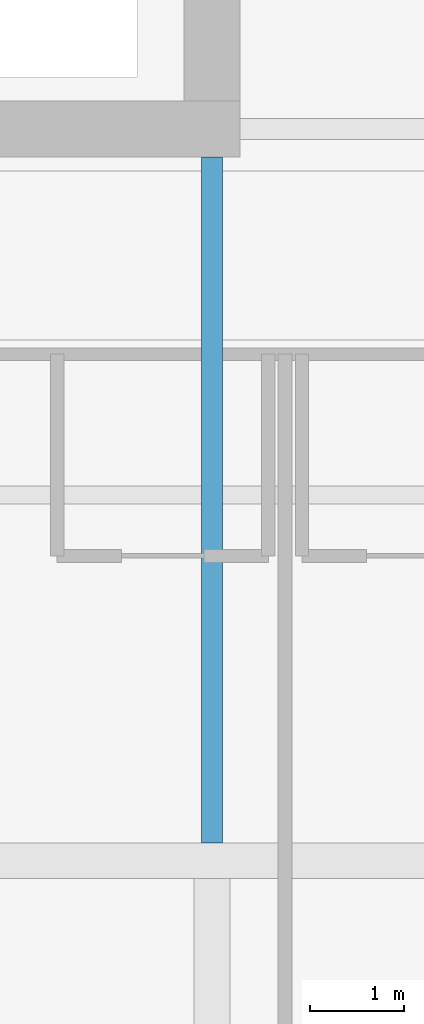
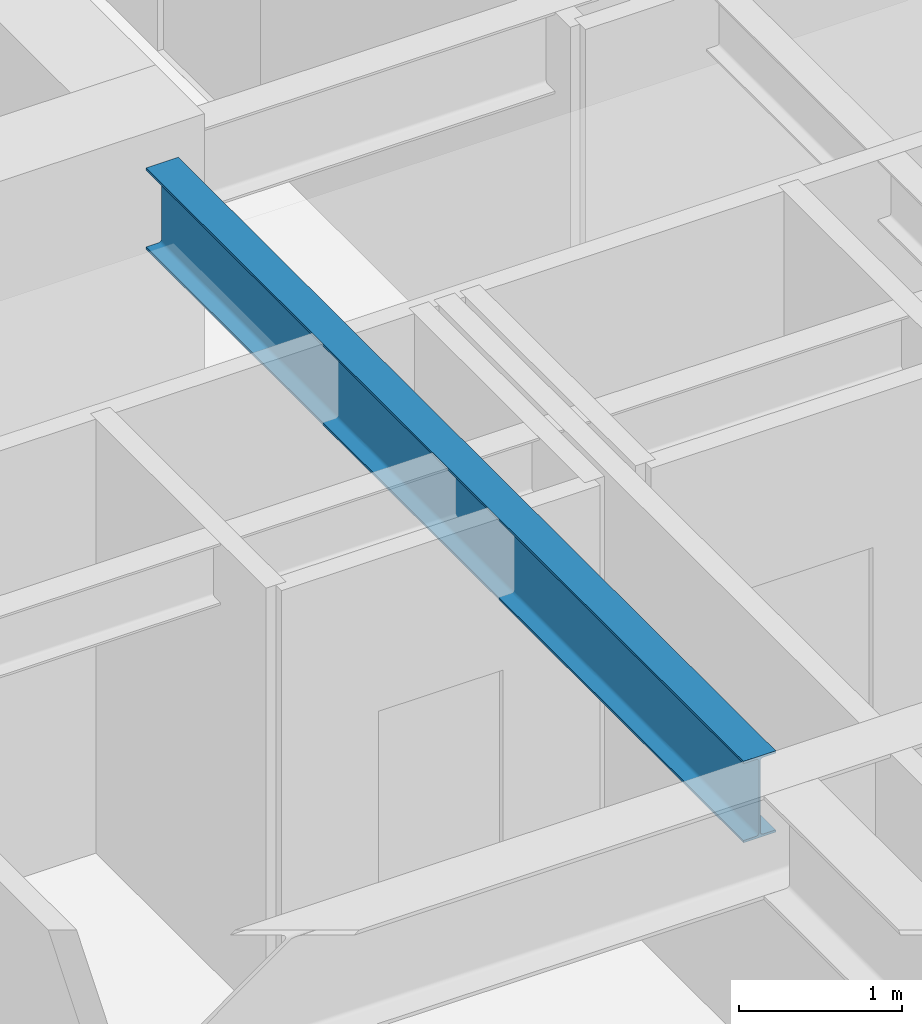
# One storey, part 12 of 38: 1 beam.
"""IFC4 building model written with IfcOpenShell, lengths in metres."""

from ifc_helpers import new_model, si_unit, direction, frame, origin, origin_2d, place, context, subcontext, project, spatial, i_section, extrude, material, material_profile, profile_set, type_object, element, save


model = new_model("IFC4")

# Units and contexts
model_context = context("Model", 3, precision=1e-05, world=origin(), true_north=direction((0.0, 1.0)))
body_context = subcontext(model_context, "Body", "Model", "MODEL_VIEW")
ifc_project = project(units=[si_unit("LENGTHUNIT", "METRE"), si_unit("AREAUNIT", "SQUARE_METRE"), si_unit("VOLUMEUNIT", "CUBIC_METRE"), si_unit("PLANEANGLEUNIT", "RADIAN"), si_unit("MASSUNIT", "GRAM", prefix="KILO")], contexts=[model_context])

# Site, building, storey
site_placement = place(None, origin())
site = spatial("IfcSite", under=ifc_project, at=site_placement, CompositionType="ELEMENT")
building_placement = place(site_placement, origin())
building = spatial("IfcBuilding", under=site, at=building_placement, Name="Drelvath Grand Hotel", CompositionType="ELEMENT")
storey_placement = place(building_placement, frame((0.0, 0.0, 61.199951171875)))
storey = spatial("IfcBuildingStorey", under=building, at=storey_placement, Name="L14", CompositionType="ELEMENT", Elevation=61.199951171875)

# Beam
ifc_material = material(Name="Steel ASTM A992 Gr 50", Category="steel")
ifc_material_profile = material_profile(ifc_material, i_section(OverallWidth=0.228271484375, OverallDepth=0.607666015625, WebThickness=0.01123046875, FlangeThickness=0.017333984375, FilletRadius=0.02001953125, at=origin_2d()), Name="W24X76")
ifc_profile_set = profile_set([ifc_material_profile], Name="Steel ASTM A992 Gr 50")
beam_type = type_object("IfcBeamType", Name="Primary Floor Girder W24X76", PredefinedType="BEAM", material=ifc_profile_set)
beam_placement = place(storey_placement, frame((8.39990234375, 10.990234375, 2.936279296875), z_axis=(0.0, 1.0, 0.0), x_axis=(-1.0, 0.0, 0.0)))
element("IfcBeam", 1, at=beam_placement, inside=storey, type_object=beam_type, Name="L14 South Core Tie 6", PredefinedType="BEAM", context=body_context, shape_type="SweptSolid", body=[
    extrude(i_section(OverallWidth=0.228271484375, OverallDepth=0.607666015625, WebThickness=0.01123046875, FlangeThickness=0.017333984375, FilletRadius=0.02001953125, at=origin_2d()), origin(), (0.0, 0.0, 1.0), 7.309814453125),
])

save(model, "model.ifc")
